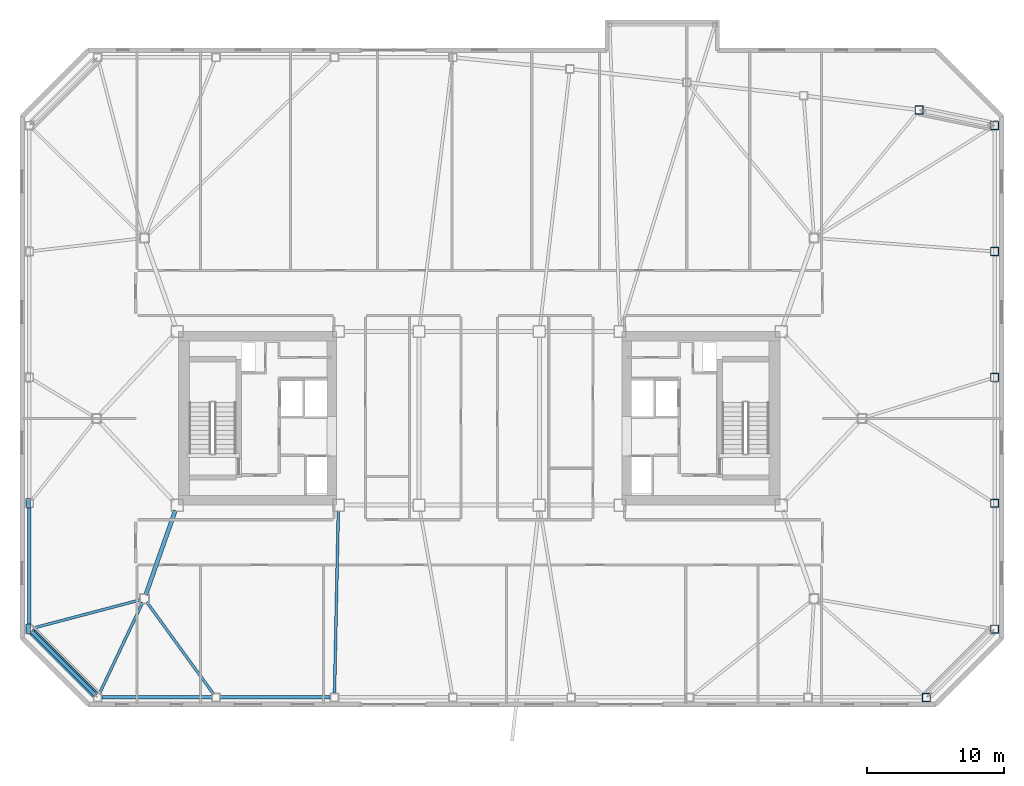
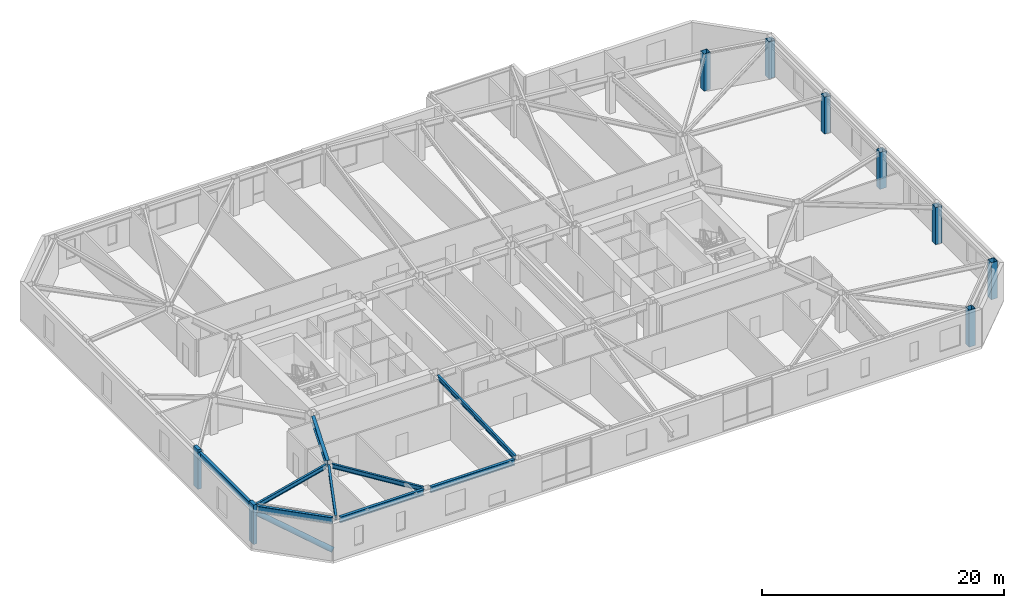
# One storey, part 3 of 18: 9 beams, 7 columns, 3 members.
"""IFC4 building model written with IfcOpenShell, lengths in metres."""

from ifc_helpers import new_model, si_unit, direction, frame, origin, origin_2d, place, context, subcontext, project, spatial, rectangle, hollow_rectangle, hollow_circle, i_section, extrude, material, material_profile, profile_set, type_object, element, save


model = new_model("IFC4")

# Units and contexts
model_context = context("Model", 3, precision=1e-05, world=origin(), true_north=direction((0.0, 1.0)))
body_context = subcontext(model_context, "Body", "Model", "MODEL_VIEW")
ifc_project = project(units=[si_unit("LENGTHUNIT", "METRE"), si_unit("AREAUNIT", "SQUARE_METRE"), si_unit("VOLUMEUNIT", "CUBIC_METRE"), si_unit("PLANEANGLEUNIT", "RADIAN"), si_unit("MASSUNIT", "GRAM", prefix="KILO")], contexts=[model_context])

# Site, building, storey
site_placement = place(None, origin())
site = spatial("IfcSite", under=ifc_project, at=site_placement, CompositionType="ELEMENT")
building_placement = place(site_placement, origin())
building = spatial("IfcBuilding", under=site, at=building_placement, Name="Tavrogorsk Clinical Tower", CompositionType="ELEMENT")
storey_placement = place(building_placement, frame((0.0, 0.0, 184.199951171875)))
storey = spatial("IfcBuildingStorey", under=building, at=storey_placement, Name="L42", CompositionType="ELEMENT", Elevation=184.199951171875)

# Columns
ifc_material_1 = material(Name="Structural steel S440", Category="steel")
ifc_material_profile_1 = material_profile(ifc_material_1, hollow_rectangle(XDim=0.60009765625, YDim=0.60009765625, WallThickness=0.028076171875, at=origin_2d()), Name="BOX-600x600x28")
ifc_profile_set_1 = profile_set([ifc_material_profile_1], Name="Structural steel S440")
column_type = type_object("IfcColumnType", Name="PerimCol_B3_BOX600", PredefinedType="COLUMN", material=ifc_profile_set_1)
for number, where, z_axis, x_axis, name in (
    (1, (32.719970703125, -20.419921875, 0.0), (0.0, 0.0, 1.0), (1.0, 0.0, 0.0), "L42 Perimeter Column S8"),
    (2, (32.19140625, 22.56591796875, 0.0), (0.0, 0.0, 1.0), (1.0, 0.0, 0.0), "L42 Perimeter Column N1"),
    (3, (37.719970703125, -15.419921875, 0.0), (0.0, 0.0, 1.0), (1.0, 0.0, 0.0), "L42 Perimeter Column E1"),
    (4, (37.719970703125, -6.2099609375, 0.0), (0.0, 0.0, 1.0), (1.0, 0.0, 0.0), "L42 Perimeter Column E2"),
    (5, (37.719970703125, 3.0, 0.0), (0.0, 0.0, 1.0), (1.0, 0.0, 0.0), "L42 Perimeter Column E3"),
    (6, (37.719970703125, 12.2099609375, 0.0), (0.0, 0.0, 1.0), (1.0, 0.0, 0.0), "L42 Perimeter Column E4"),
    (7, (37.719970703125, 21.419921875, 0.0), (0.0, 0.0, 1.0), (1.0, 0.0, 0.0), "L42 Perimeter Column E5"),
):
    element("IfcColumn", number, at=place(storey_placement, frame(where, z_axis=z_axis, x_axis=x_axis)), inside=storey, type_object=column_type, Name=name, PredefinedType="COLUMN", context=body_context, shape_type="SweptSolid", body=[
        extrude(hollow_rectangle(XDim=0.60009765625, YDim=0.60009765625, WallThickness=0.028076171875, at=origin_2d()), origin(), (0.0, 0.0, 1.0), 3.739990234375),
    ])

# Member
ifc_material_2 = material(Name="Structural steel S440", Category="steel")
ifc_material_profile_2 = material_profile(ifc_material_2, hollow_circle(Radius=0.25390625, WallThickness=0.02001953125, at=origin_2d()), Name="CHS-508x20")
ifc_profile_set_2 = profile_set([ifc_material_profile_2], Name="Structural steel S440")
member_type_1 = type_object("IfcMemberType", Name="ExoBrace_CHS508", PredefinedType="BRACE", material=ifc_profile_set_2)
member_placement = place(storey_placement, frame((-28.12255859375, -20.217529296875, 0.4130859375), z_axis=(-0.657758524103, 0.657758524103, 0.367025132572), x_axis=(-0.707106781187, -0.707106781187, 0.0)))
element("IfcMember", 8, at=member_placement, inside=storey, type_object=member_type_1, Name="L42 Corner Exoskeleton Brace W5-S1", PredefinedType="BRACE", context=body_context, shape_type="SweptSolid", body=[
    extrude(hollow_circle(Radius=0.25390625, WallThickness=0.02001953125, at=origin_2d()), origin(), (0.0, 0.0, 1.0), 6.98583984375),
])

# Beams
ifc_material_3 = material(Name="Structural steel S355", Category="steel")
ifc_material_profile_3 = material_profile(ifc_material_3, i_section(OverallWidth=0.199951171875, OverallDepth=0.449951171875, WebThickness=0.011474609375, FlangeThickness=0.01806640625, at=origin_2d()), Name="B-450x200x11.5x18")
ifc_profile_set_3 = profile_set([ifc_material_profile_3], Name="Structural steel S355")
beam_type_1 = type_object("IfcBeamType", Name="FloorBeam_B450", PredefinedType="BEAM", material=ifc_profile_set_3)
beam_1_placement = place(storey_placement, frame((-24.6328125, -13.480224609375, 3.51513671875), z_axis=(-0.428073530385, -0.90374390874, 0.0), x_axis=(0.90374390874, -0.428073530385, 0.0)))
element("IfcBeam", 9, at=beam_1_placement, inside=storey, type_object=beam_type_1, Name="L42 Radial Floor Beam S1", PredefinedType="BEAM", context=body_context, shape_type="SweptSolid", body=[
    extrude(i_section(OverallWidth=0.199951171875, OverallDepth=0.449951171875, WebThickness=0.011474609375, FlangeThickness=0.01806640625, at=origin_2d()), origin(), (0.0, 0.0, 1.0), 7.370849609375),
])
beam_2_placement = place(storey_placement, frame((-24.31787109375, -13.450927734375, 3.51513671875), z_axis=(0.587591229638, -0.809157924544, 0.0), x_axis=(0.809157924544, 0.587591229638, 0.0)))
element("IfcBeam", 10, at=beam_2_placement, inside=storey, type_object=beam_type_1, Name="L42 Radial Floor Beam S2", PredefinedType="BEAM", context=body_context, shape_type="SweptSolid", body=[
    extrude(i_section(OverallWidth=0.199951171875, OverallDepth=0.449951171875, WebThickness=0.011474609375, FlangeThickness=0.01806640625, at=origin_2d()), origin(), (0.0, 0.0, 1.0), 8.304931640625),
])
beam_3_placement = place(storey_placement, frame((-10.30859375, -6.760009765625, 3.51513671875), z_axis=(-0.020913325994, -0.999781292481, 0.0), x_axis=(0.999781292481, -0.020913325994, 0.0)))
element("IfcBeam", 11, at=beam_3_placement, inside=storey, type_object=beam_type_1, Name="L42 Radial Floor Beam S3", PredefinedType="BEAM", context=body_context, shape_type="SweptSolid", body=[
    extrude(i_section(OverallWidth=0.199951171875, OverallDepth=0.449951171875, WebThickness=0.011474609375, FlangeThickness=0.01806640625, at=origin_2d()), origin(), (0.0, 0.0, 1.0), 13.35498046875),
])
beam_4_placement = place(storey_placement, frame((-24.7998046875, -13.279052734375, 3.51513671875), z_axis=(-0.966952457073, -0.254956752726, 0.0), x_axis=(0.254956752726, -0.966952457073, 0.0)))
element("IfcBeam", 12, at=beam_4_placement, inside=storey, type_object=beam_type_1, Name="L42 Radial Floor Beam W5", PredefinedType="BEAM", context=body_context, shape_type="SweptSolid", body=[
    extrude(i_section(OverallWidth=0.199951171875, OverallDepth=0.449951171875, WebThickness=0.011474609375, FlangeThickness=0.01806640625, at=origin_2d()), origin(), (0.0, 0.0, 1.0), 8.089599609375),
])

# Members
ifc_material_4 = material(Name="Precast concrete B45 with limestone cladding", Category="masonry")
ifc_material_profile_4 = material_profile(ifc_material_4, rectangle(XDim=0.320068359375, YDim=0.719970703125, at=origin_2d()), Name="LIMESTONE-FIN-320x720")
ifc_profile_set_4 = profile_set([ifc_material_profile_4], Name="Precast concrete B45 with limestone cladding")
member_type_2 = type_object("IfcMemberType", Name="LimestonePleatFin_320x720", PredefinedType="USERDEFINED", material=ifc_profile_set_4)
for number, where, z_axis, x_axis, name in (
    (13, (-33.0, -6.2099609375, 0.0), (0.0, 0.0, 1.0), (1.0, 0.0, 0.0), "L42 W Pleated Stone Fin 3"),
    (14, (-33.0, -15.419921875, 0.0), (0.0, 0.0, 1.0), (1.0, 0.0, 0.0), "L42 W Pleated Stone Fin 4"),
):
    element("IfcMember", number, at=place(storey_placement, frame(where, z_axis=z_axis, x_axis=x_axis)), inside=storey, type_object=member_type_2, Name=name, ObjectType="FIN", PredefinedType="USERDEFINED", context=body_context, shape_type="SweptSolid", body=[
        extrude(rectangle(XDim=0.320068359375, YDim=0.719970703125, at=origin_2d()), origin(), (0.0, 0.0, 1.0), 4.0),
    ])

# Beams
ifc_material_5 = material(Name="Structural steel S390", Category="steel")
ifc_material_profile_5 = material_profile(ifc_material_5, i_section(OverallWidth=0.300048828125, OverallDepth=0.699951171875, WebThickness=0.01708984375, FlangeThickness=0.028076171875, at=origin_2d()), Name="B-700x300x17x28")
ifc_profile_set_5 = profile_set([ifc_material_profile_5], Name="Structural steel S390")
beam_type_2 = type_object("IfcBeamType", Name="PrimaryGirder_B700", PredefinedType="USERDEFINED", material=ifc_profile_set_5)
beam_5_placement = place(storey_placement, frame((-24.3974609375, -12.907470703125, 3.39013671875), z_axis=(0.33065312634, 0.94375235631, 0.0), x_axis=(-0.94375235631, 0.33065312634, 0.0)))
element("IfcBeam", 15, at=beam_5_placement, inside=storey, type_object=beam_type_2, Name="L42 Spine Link Girder OPG-1", ObjectType="GIRDER", PredefinedType="USERDEFINED", context=body_context, shape_type="SweptSolid", body=[
    extrude(i_section(OverallWidth=0.300048828125, OverallDepth=0.699951171875, WebThickness=0.01708984375, FlangeThickness=0.028076171875, at=origin_2d()), origin(), (0.0, 0.0, 1.0), 6.5380859375),
])
ifc_material_6 = material(Name="Structural steel S390", Category="steel")
ifc_material_profile_6 = material_profile(ifc_material_6, i_section(OverallWidth=0.260009765625, OverallDepth=0.60009765625, WebThickness=0.014892578125, FlangeThickness=0.02392578125, at=origin_2d()), Name="B-600x260x15x24")
ifc_profile_set_6 = profile_set([ifc_material_profile_6], Name="Structural steel S390")
beam_type_3 = type_object("IfcBeamType", Name="SpandrelBeam_B600", PredefinedType="SPANDREL", material=ifc_profile_set_6)
for number, where, z_axis, x_axis, name in (
    (16, (-27.612060546875, -20.419921875, 3.43994140625), (1.0, 0.0, 0.0), (0.0, 1.0, 0.0), "L42 Perimeter Spandrel S1-S2"),
    (17, (-18.94921875, -20.419921875, 3.43994140625), (1.0, 0.0, 0.0), (0.0, 1.0, 0.0), "L42 Perimeter Spandrel S2-S3"),
):
    element("IfcBeam", number, at=place(storey_placement, frame(where, z_axis=z_axis, x_axis=x_axis)), inside=storey, type_object=beam_type_3, Name=name, PredefinedType="SPANDREL", context=body_context, shape_type="SweptSolid", body=[
        extrude(i_section(OverallWidth=0.260009765625, OverallDepth=0.60009765625, WebThickness=0.014892578125, FlangeThickness=0.02392578125, at=origin_2d()), origin(), (0.0, 0.0, 1.0), 8.046875),
    ])
beam_6_placement = place(storey_placement, frame((-32.919921875, -6.51806640625, 3.43994140625), z_axis=(0.0, -1.0, 0.0), x_axis=(1.0, 0.0, 0.0)))
element("IfcBeam", 18, at=beam_6_placement, inside=storey, type_object=beam_type_3, Name="L42 Perimeter Spandrel W4-W5", PredefinedType="SPANDREL", context=body_context, shape_type="SweptSolid", body=[
    extrude(i_section(OverallWidth=0.260009765625, OverallDepth=0.60009765625, WebThickness=0.014892578125, FlangeThickness=0.02392578125, at=origin_2d()), origin(), (0.0, 0.0, 1.0), 8.593994140625),
])
beam_7_placement = place(storey_placement, frame((-32.7021484375, -15.6376953125, 3.43994140625), z_axis=(0.707106781187, -0.707106781187, 0.0), x_axis=(0.707106781187, 0.707106781187, 0.0)))
element("IfcBeam", 19, at=beam_7_placement, inside=storey, type_object=beam_type_3, Name="L42 Perimeter Spandrel W5-S1", PredefinedType="SPANDREL", context=body_context, shape_type="SweptSolid", body=[
    extrude(i_section(OverallWidth=0.260009765625, OverallDepth=0.60009765625, WebThickness=0.014892578125, FlangeThickness=0.02392578125, at=origin_2d()), origin(), (0.0, 0.0, 1.0), 6.455078125),
])

save(model, "model.ifc")
